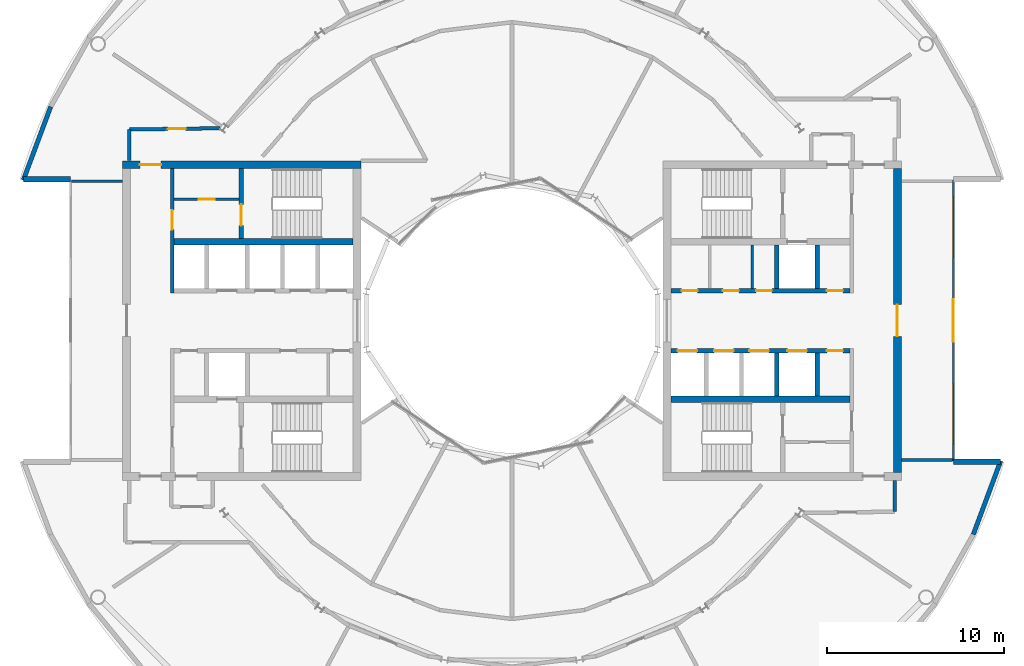
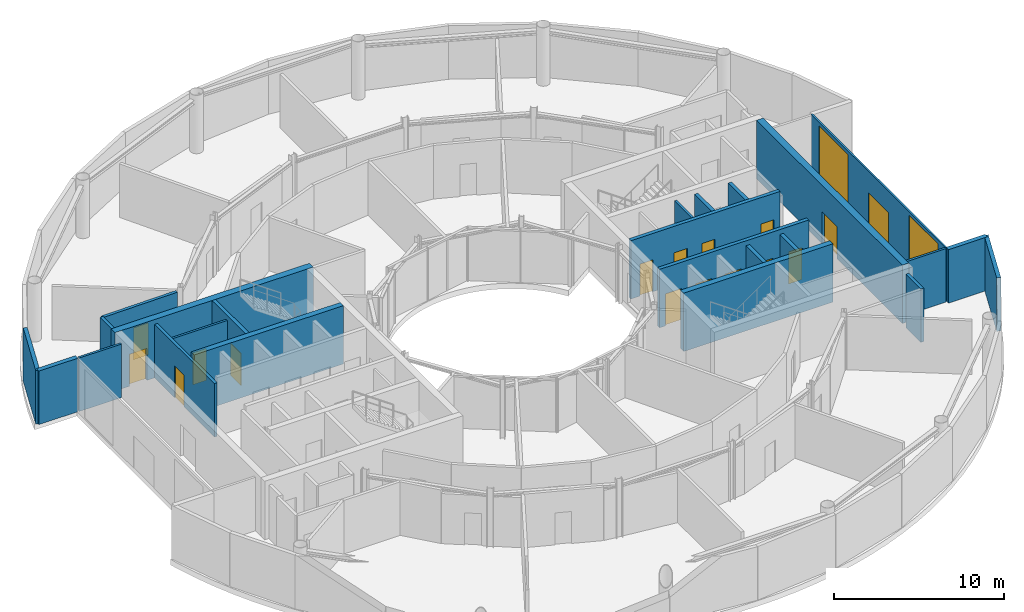
# One storey, part 14 of 19: 24 walls, 16 doors, 2 windows, 18 openings.
"""IFC4 building model written with IfcOpenShell, lengths in metres."""

from ifc_helpers import new_model, si_unit, direction, frame, frame_2d, origin, place, context, subcontext, project, spatial, rectangle, extrude, material, layer, layer_set, type_object, element, fill, save


model = new_model("IFC4")

# Units and contexts
model_context = context("Model", 3, precision=1e-05, world=origin(), true_north=direction((0.0, 1.0)))
body_context = subcontext(model_context, "Body", "Model", "MODEL_VIEW")
ifc_project = project(units=[si_unit("LENGTHUNIT", "METRE"), si_unit("AREAUNIT", "SQUARE_METRE"), si_unit("VOLUMEUNIT", "CUBIC_METRE"), si_unit("PLANEANGLEUNIT", "RADIAN"), si_unit("MASSUNIT", "GRAM", prefix="KILO")], contexts=[model_context])

# Site, building, storey
site_placement = place(None, origin())
site = spatial("IfcSite", under=ifc_project, at=site_placement, CompositionType="ELEMENT")
building_placement = place(site_placement, origin())
building = spatial("IfcBuilding", under=site, at=building_placement, Name="Maasbend Ring Residences", CompositionType="ELEMENT")
storey_placement = place(building_placement, frame((0.0, 0.0, 186.0)))
storey = spatial("IfcBuildingStorey", under=building, at=storey_placement, Name="L53", CompositionType="ELEMENT", Elevation=186.0)

# Wall
ifc_material_1 = material(Name="Concrete C30/37", Category="concrete")
ifc_layer_1 = layer(ifc_material_1, 0.199951171875)
ifc_layer_set_1 = layer_set([ifc_layer_1], Name="Concrete C30/37")
wall_type_1 = type_object("IfcWallType", Name="COMPARTMENT WALL 200 CONCRETE", PredefinedType="PARTITIONING", material=ifc_layer_set_1)
wall_1_placement = place(storey_placement, frame((21.675048828125, -10.824951171875, 0.0), z_axis=(0.0, 0.0, 1.0), x_axis=(0.0, 1.0, 0.0)))
element("IfcWall", 1, at=wall_1_placement, inside=storey, type_object=wall_type_1, Name="U-L53-w002", PredefinedType="PARTITIONING", context=body_context, shape_type="SweptSolid", body=[
    extrude(rectangle(XDim=1.7548828125, YDim=0.199951171875, at=frame_2d((0.87744140625, 0.0))), origin(), (0.0, 0.0, 1.0), 3.85009765625),
])

# Wall, opening, door
wall_2_placement = place(storey_placement, frame((-21.675048828125, 10.824951171875, 0.0), z_axis=(0.0, 0.0, 1.0), x_axis=(0.999909707888, 0.013437859594, 0.0)))
wall_2 = element("IfcWall", 2, at=wall_2_placement, inside=storey, type_object=wall_type_1, Name="U-L53-w051", PredefinedType="PARTITIONING", context=body_context, shape_type="SweptSolid", body=[
    extrude(rectangle(XDim=5.1416015625, YDim=0.199951171875, at=frame_2d((2.57080078125, 0.0))), origin(), (0.0, 0.0, 1.0), 3.85009765625),
])
opening_1_placement = place(wall_2_placement, frame((2.18310546875, 0.0, 0.0)))
opening_1 = element("IfcOpeningElement", 3, at=opening_1_placement, cuts=wall_2, Name="Opening D-5320", PredefinedType="OPENING", context=body_context, shape_type="SweptSolid", body=[
    extrude(rectangle(XDim=1.0, YDim=2.300048828125, at=frame_2d((0.5, 1.14990234375))), frame((0.0, 0.10986328125, 0.0), z_axis=(0.0, -1.0, 0.0), x_axis=(1.0, 0.0, 0.0)), (0.0, 0.0, 1.0), 0.219970703125),
])
ifc_material_2 = material(Name="Steel, fire-rated, painted", Category="steel")
door_type_1 = type_object("IfcDoorType", Name="PLANT DOOR 1000 X 2300 FIRE-RATED", OperationType="NOTDEFINED", PredefinedType="DOOR", material=ifc_material_2)
door_1_placement = place(opening_1_placement, origin())
door_1 = element("IfcDoor", 4, at=door_1_placement, inside=storey, type_object=door_type_1, Name="D-5320", OperationType="SINGLE_SWING_RIGHT", OverallHeight=2.300048828125, OverallWidth=1.0, PredefinedType="DOOR", context=body_context, shape_type="SweptSolid", body=[
    extrude(rectangle(XDim=1.0, YDim=2.300048828125, at=frame_2d((0.5, 1.14990234375))), frame((0.0, 0.02490234375, 0.0), z_axis=(0.0, -1.0, 0.0), x_axis=(1.0, 0.0, 0.0)), (0.0, 0.0, 1.0), 0.050048828125),
])
fill(opening_1, door_1)

# Wall
wall_3_placement = place(storey_placement, frame((-21.675048828125, 9.070068359375, 0.0), z_axis=(0.0, 0.0, 1.0), x_axis=(0.0, 1.0, 0.0)))
element("IfcWall", 5, at=wall_3_placement, inside=storey, type_object=wall_type_1, Name="U-L53-w076", PredefinedType="PARTITIONING", context=body_context, shape_type="SweptSolid", body=[
    extrude(rectangle(XDim=1.7548828125, YDim=0.199951171875, at=frame_2d((0.87744140625, 0.0))), origin(), (0.0, 0.0, 1.0), 3.85009765625),
])

# Wall, openings, doors
ifc_material_3 = material(Name="Concrete C50/60", Category="concrete")
ifc_layer_2 = layer(ifc_material_3, 0.25)
ifc_layer_set_2 = layer_set([ifc_layer_2], Name="Concrete C50/60")
wall_type_2 = type_object("IfcWallType", Name="CORE WALL 250 C50/60", PredefinedType="SHEAR", material=ifc_layer_set_2)
wall_4_placement = place(storey_placement, frame((9.0, 1.699951171875, 0.0), z_axis=(0.0, 0.0, 1.0), x_axis=(1.0, 0.0, 0.0)))
wall_4 = element("IfcWall", 6, at=wall_4_placement, inside=storey, type_object=wall_type_2, Name="L53 core E wall SPN", PredefinedType="SHEAR", context=body_context, shape_type="SweptSolid", body=[
    extrude(rectangle(XDim=10.14990234375, YDim=0.25, at=frame_2d((5.074951171875, 0.0))), origin(), (0.0, 0.0, 1.0), 4.199951171875),
])
opening_2_placement = place(wall_4_placement, frame((0.612548828125, 0.0, 0.0)))
opening_2 = element("IfcOpeningElement", 7, at=opening_2_placement, cuts=wall_4, Name="Opening D-E5306", PredefinedType="OPENING", context=body_context, shape_type="SweptSolid", body=[
    extrude(rectangle(XDim=0.89990234375, YDim=2.300048828125, at=frame_2d((0.449951171875, 1.14990234375))), frame((0.0, 0.135009765625, 0.0), z_axis=(0.0, -1.0, 0.0), x_axis=(1.0, 0.0, 0.0)), (0.0, 0.0, 1.0), 0.27001953125),
])
opening_3_placement = place(wall_4_placement, frame((2.949951171875, 0.0, 0.0)))
opening_3 = element("IfcOpeningElement", 8, at=opening_3_placement, cuts=wall_4, Name="Opening D-E5307", PredefinedType="OPENING", context=body_context, shape_type="SweptSolid", body=[
    extrude(rectangle(XDim=0.89990234375, YDim=2.300048828125, at=frame_2d((0.449951171875, 1.14990234375))), frame((0.0, 0.135009765625, 0.0), z_axis=(0.0, -1.0, 0.0), x_axis=(1.0, 0.0, 0.0)), (0.0, 0.0, 1.0), 0.27001953125),
])
opening_4_placement = place(wall_4_placement, frame((4.824951171875, 0.0, 0.0)))
opening_4 = element("IfcOpeningElement", 9, at=opening_4_placement, cuts=wall_4, Name="Opening D-E5308", PredefinedType="OPENING", context=body_context, shape_type="SweptSolid", body=[
    extrude(rectangle(XDim=0.89990234375, YDim=2.300048828125, at=frame_2d((0.449951171875, 1.14990234375))), frame((0.0, 0.135009765625, 0.0), z_axis=(0.0, -1.0, 0.0), x_axis=(1.0, 0.0, 0.0)), (0.0, 0.0, 1.0), 0.27001953125),
])
opening_5_placement = place(wall_4_placement, frame((8.83740234375, 0.0, 0.0)))
opening_5 = element("IfcOpeningElement", 10, at=opening_5_placement, cuts=wall_4, Name="Opening D-E5309", PredefinedType="OPENING", context=body_context, shape_type="SweptSolid", body=[
    extrude(rectangle(XDim=0.89990234375, YDim=2.300048828125, at=frame_2d((0.449951171875, 1.14990234375))), frame((0.0, 0.135009765625, 0.0), z_axis=(0.0, -1.0, 0.0), x_axis=(1.0, 0.0, 0.0)), (0.0, 0.0, 1.0), 0.27001953125),
])
ifc_material_4 = material(Name="Steel, powder coated", Category="steel")
door_type_2 = type_object("IfcDoorType", Name="ROOM DOOR 900 X 2300 FD30S", OperationType="NOTDEFINED", PredefinedType="DOOR", material=ifc_material_4)
door_2_placement = place(opening_2_placement, origin())
door_2 = element("IfcDoor", 11, at=door_2_placement, inside=storey, type_object=door_type_2, Name="Room door L53", OperationType="SINGLE_SWING_RIGHT", OverallHeight=2.300048828125, OverallWidth=0.89990234375, PredefinedType="DOOR", context=body_context, shape_type="SweptSolid", body=[
    extrude(rectangle(XDim=0.89990234375, YDim=2.300048828125, at=frame_2d((0.449951171875, 1.14990234375))), frame((0.0, 0.02490234375, 0.0), z_axis=(0.0, -1.0, 0.0), x_axis=(1.0, 0.0, 0.0)), (0.0, 0.0, 1.0), 0.050048828125),
])
fill(opening_2, door_2)
door_3_placement = place(opening_3_placement, origin())
door_3 = element("IfcDoor", 12, at=door_3_placement, inside=storey, type_object=door_type_2, Name="Room door L53", OperationType="SINGLE_SWING_RIGHT", OverallHeight=2.300048828125, OverallWidth=0.89990234375, PredefinedType="DOOR", context=body_context, shape_type="SweptSolid", body=[
    extrude(rectangle(XDim=0.89990234375, YDim=2.300048828125, at=frame_2d((0.449951171875, 1.14990234375))), frame((0.0, 0.02490234375, 0.0), z_axis=(0.0, -1.0, 0.0), x_axis=(1.0, 0.0, 0.0)), (0.0, 0.0, 1.0), 0.050048828125),
])
fill(opening_3, door_3)
door_4_placement = place(opening_4_placement, origin())
door_4 = element("IfcDoor", 13, at=door_4_placement, inside=storey, type_object=door_type_2, Name="Room door L53", OperationType="SINGLE_SWING_LEFT", OverallHeight=2.300048828125, OverallWidth=0.89990234375, PredefinedType="DOOR", context=body_context, shape_type="SweptSolid", body=[
    extrude(rectangle(XDim=0.89990234375, YDim=2.300048828125, at=frame_2d((0.449951171875, 1.14990234375))), frame((0.0, 0.02490234375, 0.0), z_axis=(0.0, -1.0, 0.0), x_axis=(1.0, 0.0, 0.0)), (0.0, 0.0, 1.0), 0.050048828125),
])
fill(opening_4, door_4)
door_5_placement = place(opening_5_placement, origin())
door_5 = element("IfcDoor", 14, at=door_5_placement, inside=storey, type_object=door_type_2, Name="Room door L53", OperationType="SINGLE_SWING_LEFT", OverallHeight=2.300048828125, OverallWidth=0.89990234375, PredefinedType="DOOR", context=body_context, shape_type="SweptSolid", body=[
    extrude(rectangle(XDim=0.89990234375, YDim=2.300048828125, at=frame_2d((0.449951171875, 1.14990234375))), frame((0.0, 0.02490234375, 0.0), z_axis=(0.0, -1.0, 0.0), x_axis=(1.0, 0.0, 0.0)), (0.0, 0.0, 1.0), 0.050048828125),
])
fill(opening_5, door_5)

wall_5_placement = place(storey_placement, frame((19.14990234375, -1.699951171875, 0.0), z_axis=(0.0, 0.0, 1.0), x_axis=(-1.0, 0.0, 0.0)))
wall_5 = element("IfcWall", 15, at=wall_5_placement, inside=storey, type_object=wall_type_2, Name="L53 core E wall SPS", PredefinedType="SHEAR", context=body_context, shape_type="SweptSolid", body=[
    extrude(rectangle(XDim=10.14990234375, YDim=0.25, at=frame_2d((5.074951171875, 0.0))), origin(), (0.0, 0.0, 1.0), 4.199951171875),
])
opening_6_placement = place(wall_5_placement, frame((8.66259765625, 0.0, 0.0)))
opening_6 = element("IfcOpeningElement", 16, at=opening_6_placement, cuts=wall_5, Name="Opening LD-E5302", PredefinedType="OPENING", context=body_context, shape_type="SweptSolid", body=[
    extrude(rectangle(XDim=1.10009765625, YDim=2.300048828125, at=frame_2d((0.550048828125, 1.14990234375))), frame((0.0, 0.135009765625, 0.0), z_axis=(0.0, -1.0, 0.0), x_axis=(1.0, 0.0, 0.0)), (0.0, 0.0, 1.0), 0.27001953125),
])
opening_7_placement = place(wall_5_placement, frame((6.60009765625, 0.0, 0.0)))
opening_7 = element("IfcOpeningElement", 17, at=opening_7_placement, cuts=wall_5, Name="Opening LD-E5303", PredefinedType="OPENING", context=body_context, shape_type="SweptSolid", body=[
    extrude(rectangle(XDim=1.10009765625, YDim=2.300048828125, at=frame_2d((0.550048828125, 1.14990234375))), frame((0.0, 0.135009765625, 0.0), z_axis=(0.0, -1.0, 0.0), x_axis=(1.0, 0.0, 0.0)), (0.0, 0.0, 1.0), 0.27001953125),
])
opening_8_placement = place(wall_5_placement, frame((4.60009765625, 0.0, 0.0)))
opening_8 = element("IfcOpeningElement", 18, at=opening_8_placement, cuts=wall_5, Name="Opening LD-E5304", PredefinedType="OPENING", context=body_context, shape_type="SweptSolid", body=[
    extrude(rectangle(XDim=1.10009765625, YDim=2.300048828125, at=frame_2d((0.550048828125, 1.14990234375))), frame((0.0, 0.135009765625, 0.0), z_axis=(0.0, -1.0, 0.0), x_axis=(1.0, 0.0, 0.0)), (0.0, 0.0, 1.0), 0.27001953125),
])
opening_9_placement = place(wall_5_placement, frame((2.449951171875, 0.0, 0.0)))
opening_9 = element("IfcOpeningElement", 19, at=opening_9_placement, cuts=wall_5, Name="Opening LD-E5305", PredefinedType="OPENING", context=body_context, shape_type="SweptSolid", body=[
    extrude(rectangle(XDim=1.10009765625, YDim=2.300048828125, at=frame_2d((0.550048828125, 1.14990234375))), frame((0.0, 0.135009765625, 0.0), z_axis=(0.0, -1.0, 0.0), x_axis=(1.0, 0.0, 0.0)), (0.0, 0.0, 1.0), 0.27001953125),
])
opening_10_placement = place(wall_5_placement, frame((0.41259765625, 0.0, 0.0)))
opening_10 = element("IfcOpeningElement", 20, at=opening_10_placement, cuts=wall_5, Name="Opening D-E5310", PredefinedType="OPENING", context=body_context, shape_type="SweptSolid", body=[
    extrude(rectangle(XDim=0.89990234375, YDim=2.300048828125, at=frame_2d((0.449951171875, 1.14990234375))), frame((0.0, 0.135009765625, 0.0), z_axis=(0.0, -1.0, 0.0), x_axis=(1.0, 0.0, 0.0)), (0.0, 0.0, 1.0), 0.27001953125),
])
ifc_material_5 = material(Name="Stainless steel 316", Category="steel")
door_type_3 = type_object("IfcDoorType", Name="LANDING DOOR 1100 X 2300 FD60", OperationType="DOUBLE_DOOR_SLIDING", PredefinedType="DOOR", material=ifc_material_5)
door_6_placement = place(opening_6_placement, origin())
door_6 = element("IfcDoor", 21, at=door_6_placement, inside=storey, type_object=door_type_3, Name="Landing door HR-E1 L53", OperationType="DOUBLE_DOOR_SLIDING", OverallHeight=2.300048828125, OverallWidth=1.10009765625, PredefinedType="DOOR", context=body_context, shape_type="SweptSolid", body=[
    extrude(rectangle(XDim=1.10009765625, YDim=2.300048828125, at=frame_2d((0.550048828125, 1.14990234375))), frame((0.0, 0.02490234375, 0.0), z_axis=(0.0, -1.0, 0.0), x_axis=(1.0, 0.0, 0.0)), (0.0, 0.0, 1.0), 0.050048828125),
])
fill(opening_6, door_6)
door_7_placement = place(opening_7_placement, origin())
door_7 = element("IfcDoor", 22, at=door_7_placement, inside=storey, type_object=door_type_3, Name="Landing door HR-E2 L53", OperationType="DOUBLE_DOOR_SLIDING", OverallHeight=2.300048828125, OverallWidth=1.10009765625, PredefinedType="DOOR", context=body_context, shape_type="SweptSolid", body=[
    extrude(rectangle(XDim=1.10009765625, YDim=2.300048828125, at=frame_2d((0.550048828125, 1.14990234375))), frame((0.0, 0.02490234375, 0.0), z_axis=(0.0, -1.0, 0.0), x_axis=(1.0, 0.0, 0.0)), (0.0, 0.0, 1.0), 0.050048828125),
])
fill(opening_7, door_7)
door_8_placement = place(opening_8_placement, origin())
door_8 = element("IfcDoor", 23, at=door_8_placement, inside=storey, type_object=door_type_3, Name="Landing door HR-E3 L53", OperationType="DOUBLE_DOOR_SLIDING", OverallHeight=2.300048828125, OverallWidth=1.10009765625, PredefinedType="DOOR", context=body_context, shape_type="SweptSolid", body=[
    extrude(rectangle(XDim=1.10009765625, YDim=2.300048828125, at=frame_2d((0.550048828125, 1.14990234375))), frame((0.0, 0.02490234375, 0.0), z_axis=(0.0, -1.0, 0.0), x_axis=(1.0, 0.0, 0.0)), (0.0, 0.0, 1.0), 0.050048828125),
])
fill(opening_8, door_8)
door_9_placement = place(opening_9_placement, origin())
door_9 = element("IfcDoor", 24, at=door_9_placement, inside=storey, type_object=door_type_3, Name="Landing door SV-E L53", OperationType="DOUBLE_DOOR_SLIDING", OverallHeight=2.300048828125, OverallWidth=1.10009765625, PredefinedType="DOOR", context=body_context, shape_type="SweptSolid", body=[
    extrude(rectangle(XDim=1.10009765625, YDim=2.300048828125, at=frame_2d((0.550048828125, 1.14990234375))), frame((0.0, 0.02490234375, 0.0), z_axis=(0.0, -1.0, 0.0), x_axis=(1.0, 0.0, 0.0)), (0.0, 0.0, 1.0), 0.050048828125),
])
fill(opening_9, door_9)
door_10_placement = place(opening_10_placement, origin())
door_10 = element("IfcDoor", 25, at=door_10_placement, inside=storey, type_object=door_type_2, Name="Room door L53", OperationType="SINGLE_SWING_RIGHT", OverallHeight=2.300048828125, OverallWidth=0.89990234375, PredefinedType="DOOR", context=body_context, shape_type="SweptSolid", body=[
    extrude(rectangle(XDim=0.89990234375, YDim=2.300048828125, at=frame_2d((0.449951171875, 1.14990234375))), frame((0.0, 0.02490234375, 0.0), z_axis=(0.0, -1.0, 0.0), x_axis=(1.0, 0.0, 0.0)), (0.0, 0.0, 1.0), 0.050048828125),
])
fill(opening_10, door_10)

# Wall, opening, door
wall_6_placement = place(storey_placement, frame((-15.324951171875, 8.60009765625, 0.0), z_axis=(0.0, 0.0, 1.0), x_axis=(0.0, -1.0, 0.0)))
wall_6 = element("IfcWall", 26, at=wall_6_placement, inside=storey, type_object=wall_type_2, Name="L53 core W wall STES", PredefinedType="SHEAR", context=body_context, shape_type="SweptSolid", body=[
    extrude(rectangle(XDim=3.9501953125, YDim=0.25, at=frame_2d((1.97509765625, 0.0))), origin(), (0.0, 0.0, 1.0), 4.199951171875),
])
opening_11_placement = place(wall_6_placement, frame((2.02490234375, 0.0, 0.0)))
opening_11 = element("IfcOpeningElement", 27, at=opening_11_placement, cuts=wall_6, Name="Opening D-W5311", PredefinedType="OPENING", context=body_context, shape_type="SweptSolid", body=[
    extrude(rectangle(XDim=1.199951171875, YDim=2.300048828125, at=frame_2d((0.60009765625, 1.14990234375))), frame((0.0, 0.135009765625, 0.0), z_axis=(0.0, -1.0, 0.0), x_axis=(1.0, 0.0, 0.0)), (0.0, 0.0, 1.0), 0.27001953125),
])
ifc_material_6 = material(Name="Steel, powder coated", Category="steel")
door_type_4 = type_object("IfcDoorType", Name="STAIR DOOR 1200 X 2300 FD60", OperationType="NOTDEFINED", PredefinedType="DOOR", material=ifc_material_6)
door_11_placement = place(opening_11_placement, origin())
door_11 = element("IfcDoor", 28, at=door_11_placement, inside=storey, type_object=door_type_4, Name="Stair door ST-W L53", OperationType="SINGLE_SWING_LEFT", OverallHeight=2.300048828125, OverallWidth=1.199951171875, PredefinedType="DOOR", context=body_context, shape_type="SweptSolid", body=[
    extrude(rectangle(XDim=1.199951171875, YDim=2.300048828125, at=frame_2d((0.60009765625, 1.14990234375))), frame((0.0, 0.02490234375, 0.0), z_axis=(0.0, -1.0, 0.0), x_axis=(1.0, 0.0, 0.0)), (0.0, 0.0, 1.0), 0.050048828125),
])
fill(opening_11, door_11)

# Walls
ifc_material_7 = material(Name="Concrete C50/60", Category="concrete")
ifc_layer_3 = layer(ifc_material_7, 0.375)
ifc_layer_set_3 = layer_set([ifc_layer_3], Name="Concrete C50/60")
wall_type_3 = type_object("IfcWallType", Name="CORE WALL 375 C50/60", PredefinedType="SHEAR", material=ifc_layer_set_3)
for number, where, z_axis, x_axis, name in (
    (29, (9.0, -4.46240234375, 0.0), (0.0, 0.0, 1.0), (1.0, 0.0, 0.0), "L53 core E wall BS"),
    (30, (-9.0, 4.46240234375, 0.0), (0.0, 0.0, 1.0), (-1.0, 0.0, 0.0), "L53 core W wall BS"),
):
    element("IfcWall", number, at=place(storey_placement, frame(where, z_axis=z_axis, x_axis=x_axis)), inside=storey, type_object=wall_type_3, Name=name, PredefinedType="SHEAR", context=body_context, shape_type="SweptSolid", body=[
        extrude(rectangle(XDim=10.14990234375, YDim=0.375, at=frame_2d((5.074951171875, 0.0))), origin(), (0.0, 0.0, 1.0), 4.199951171875),
    ])

# Wall, opening, door
ifc_material_8 = material(Name="Concrete C50/60", Category="concrete")
ifc_layer_4 = layer(ifc_material_8, 0.449951171875)
ifc_layer_set_4 = layer_set([ifc_layer_4], Name="Concrete C50/60")
wall_type_4 = type_object("IfcWallType", Name="CORE WALL 450 C50/60", PredefinedType="SHEAR", material=ifc_layer_set_4)
wall_7_placement = place(storey_placement, frame((21.824951171875, 8.60009765625, 0.0), z_axis=(0.0, 0.0, 1.0), x_axis=(0.0, -1.0, 0.0)))
wall_7 = element("IfcWall", 31, at=wall_7_placement, inside=storey, type_object=wall_type_4, Name="L53 core E wall POUT", PredefinedType="SHEAR", context=body_context, shape_type="SweptSolid", body=[
    extrude(rectangle(XDim=17.2001953125, YDim=0.449951171875, at=frame_2d((8.60009765625, 0.0))), origin(), (0.0, 0.0, 1.0), 4.199951171875),
])
opening_12_placement = place(wall_7_placement, frame((7.699951171875, 0.0, 0.0)))
opening_12 = element("IfcOpeningElement", 32, at=opening_12_placement, cuts=wall_7, Name="Opening D-E5319", PredefinedType="OPENING", context=body_context, shape_type="SweptSolid", body=[
    extrude(rectangle(XDim=1.800048828125, YDim=2.300048828125, at=frame_2d((0.89990234375, 1.14990234375))), frame((0.0, 0.23486328125, 0.0), z_axis=(0.0, -1.0, 0.0), x_axis=(1.0, 0.0, 0.0)), (0.0, 0.0, 1.0), 0.469970703125),
])
ifc_material_9 = material(Name="Aluminium frame, clear glass", Category="aluminium")
door_type_5 = type_object("IfcDoorType", Name="ENTRANCE DOOR 1800 X 2300 FD60", OperationType="NOTDEFINED", PredefinedType="DOOR", material=ifc_material_9)
door_12_placement = place(opening_12_placement, origin())
door_12 = element("IfcDoor", 33, at=door_12_placement, inside=storey, type_object=door_type_5, Name="Lobby glazed door L53", OperationType="SINGLE_SWING_LEFT", OverallHeight=2.300048828125, OverallWidth=1.800048828125, PredefinedType="DOOR", context=body_context, shape_type="SweptSolid", body=[
    extrude(rectangle(XDim=1.800048828125, YDim=2.300048828125, at=frame_2d((0.89990234375, 1.14990234375))), frame((0.0, 0.02490234375, 0.0), z_axis=(0.0, -1.0, 0.0), x_axis=(1.0, 0.0, 0.0)), (0.0, 0.0, 1.0), 0.050048828125),
])
fill(opening_12, door_12)

wall_8_placement = place(storey_placement, frame((-8.550048828125, 8.824951171875, 0.0), z_axis=(0.0, 0.0, 1.0), x_axis=(-1.0, 0.0, 0.0)))
wall_8 = element("IfcWall", 34, at=wall_8_placement, inside=storey, type_object=wall_type_4, Name="L53 core W wall PS", PredefinedType="SHEAR", context=body_context, shape_type="SweptSolid", body=[
    extrude(rectangle(XDim=13.5, YDim=0.449951171875, at=frame_2d((6.75, 0.0))), origin(), (0.0, 0.0, 1.0), 4.199951171875),
])
opening_13_placement = place(wall_8_placement, frame((11.324951171875, 0.0, 0.0)))
opening_13 = element("IfcOpeningElement", 35, at=opening_13_placement, cuts=wall_8, Name="Opening D-W5315", PredefinedType="OPENING", context=body_context, shape_type="SweptSolid", body=[
    extrude(rectangle(XDim=1.199951171875, YDim=2.300048828125, at=frame_2d((0.60009765625, 1.14990234375))), frame((0.0, 0.23486328125, 0.0), z_axis=(0.0, -1.0, 0.0), x_axis=(1.0, 0.0, 0.0)), (0.0, 0.0, 1.0), 0.469970703125),
])
ifc_material_10 = material(Name="Steel, powder coated", Category="steel")
door_type_6 = type_object("IfcDoorType", Name="CORRIDOR DOOR 1200 X 2300 FD30S", OperationType="NOTDEFINED", PredefinedType="DOOR", material=ifc_material_10)
door_13_placement = place(opening_13_placement, origin())
door_13 = element("IfcDoor", 36, at=door_13_placement, inside=storey, type_object=door_type_6, Name="Corridor door L53", OperationType="SINGLE_SWING_LEFT", OverallHeight=2.300048828125, OverallWidth=1.199951171875, PredefinedType="DOOR", context=body_context, shape_type="SweptSolid", body=[
    extrude(rectangle(XDim=1.199951171875, YDim=2.300048828125, at=frame_2d((0.60009765625, 1.14990234375))), frame((0.0, 0.02490234375, 0.0), z_axis=(0.0, -1.0, 0.0), x_axis=(1.0, 0.0, 0.0)), (0.0, 0.0, 1.0), 0.050048828125),
])
fill(opening_13, door_13)

# Walls
ifc_material_11 = material(Name="Louvred aluminium panel", Category="aluminium")
ifc_layer_5 = layer(ifc_material_11, 0.25)
ifc_layer_set_5 = layer_set([ifc_layer_5], Name="EW-LV")
wall_type_5 = type_object("IfcWallType", Name="EW-LV", PredefinedType="SOLIDWALL", material=ifc_layer_set_5)
for number, where, z_axis, x_axis, name in (
    (37, (26.126953125, -12.116943359375, 0.0), (0.0, 0.0, 1.0), (0.349247811493, 0.937030397675, 0.0), "Horn wall 2.2"),
    (38, (-26.126953125, 12.116943359375, 0.0), (0.0, 0.0, 1.0), (-0.349247811493, -0.937030397675, 0.0), "Horn wall 4.2"),
):
    element("IfcWall", number, at=place(storey_placement, frame(where, z_axis=z_axis, x_axis=x_axis)), inside=storey, type_object=wall_type_5, Name=name, PredefinedType="SOLIDWALL", context=body_context, shape_type="SweptSolid", body=[
        extrude(rectangle(XDim=4.4521484375, YDim=0.25, at=frame_2d((2.22607421875, 0.0))), origin(), (0.0, 0.0, 1.0), 3.85009765625),
    ])
ifc_material_12 = material(Name="Aluminium clad insulated panel", Category="aluminium")
ifc_layer_6 = layer(ifc_material_12, 0.300048828125)
ifc_layer_set_6 = layer_set([ifc_layer_6], Name="EW-RET")
wall_type_6 = type_object("IfcWallType", Name="EW-RET", PredefinedType="SOLIDWALL", material=ifc_layer_set_6)
for number, where, z_axis, x_axis, name in (
    (39, (25.0, -8.0, 0.0), (0.0, 0.0, 1.0), (1.0, 0.0, 0.0), "Notch return wall east south"),
    (40, (-25.0, 8.0, 0.0), (0.0, 0.0, 1.0), (-1.0, 0.0, 0.0), "Notch return wall west north"),
):
    element("IfcWall", number, at=place(storey_placement, frame(where, z_axis=z_axis, x_axis=x_axis)), inside=storey, type_object=wall_type_6, Name=name, PredefinedType="SOLIDWALL", context=body_context, shape_type="SweptSolid", body=[
        extrude(rectangle(XDim=2.6669921875, YDim=0.300048828125, at=frame_2d((1.33349609375, 0.0))), origin(), (0.0, 0.0, 1.0), 3.85009765625),
    ])

# Wall, openings, door, windows
ifc_material_13 = material(Name="Aluminium frame and clear glass", Category="aluminium")
ifc_layer_7 = layer(ifc_material_13, 0.1201171875)
ifc_layer_set_7 = layer_set([ifc_layer_7], Name="GLAZED SCREEN WALL 120 EI 60")
wall_type_7 = type_object("IfcWallType", Name="GLAZED SCREEN WALL 120 EI 60", PredefinedType="PARTITIONING", material=ifc_layer_set_7)
wall_9_placement = place(storey_placement, frame((25.0, 7.949951171875, 0.0), z_axis=(0.0, 0.0, 1.0), x_axis=(0.0, -1.0, 0.0)))
wall_9 = element("IfcWall", 41, at=wall_9_placement, inside=storey, type_object=wall_type_7, Name="L53 core E wall FACE", PredefinedType="PARTITIONING", context=body_context, shape_type="SweptSolid", body=[
    extrude(rectangle(XDim=15.89990234375, YDim=0.1201171875, at=frame_2d((7.949951171875, 0.0))), origin(), (0.0, 0.0, 1.0), 3.85009765625),
])
opening_14_placement = place(wall_9_placement, frame((6.75, 0.0, 0.0)))
opening_14 = element("IfcOpeningElement", 42, at=opening_14_placement, cuts=wall_9, Name="Opening D-E5320", PredefinedType="OPENING", context=body_context, shape_type="SweptSolid", body=[
    extrude(rectangle(XDim=2.39990234375, YDim=2.300048828125, at=frame_2d((1.199951171875, 1.14990234375))), frame((0.0, 0.070068359375, 0.0), z_axis=(0.0, -1.0, 0.0), x_axis=(1.0, 0.0, 0.0)), (0.0, 0.0, 1.0), 0.14013671875),
])
opening_15_placement = place(wall_9_placement, frame((11.550048828125, 0.0, 0.10009765625)))
opening_15 = element("IfcOpeningElement", 43, at=opening_15_placement, cuts=wall_9, Name="Opening W-E5302", PredefinedType="OPENING", context=body_context, shape_type="SweptSolid", body=[
    extrude(rectangle(XDim=3.39990234375, YDim=3.5, at=frame_2d((1.699951171875, 1.75))), frame((0.0, 0.070068359375, 0.0), z_axis=(0.0, -1.0, 0.0), x_axis=(1.0, 0.0, 0.0)), (0.0, 0.0, 1.0), 0.14013671875),
])
opening_16_placement = place(wall_9_placement, frame((0.949951171875, 0.0, 0.10009765625)))
opening_16 = element("IfcOpeningElement", 44, at=opening_16_placement, cuts=wall_9, Name="Opening W-E5303", PredefinedType="OPENING", context=body_context, shape_type="SweptSolid", body=[
    extrude(rectangle(XDim=3.39990234375, YDim=3.5, at=frame_2d((1.699951171875, 1.75))), frame((0.0, 0.070068359375, 0.0), z_axis=(0.0, -1.0, 0.0), x_axis=(1.0, 0.0, 0.0)), (0.0, 0.0, 1.0), 0.14013671875),
])
ifc_material_14 = material(Name="Aluminium frame, clear glass", Category="aluminium")
door_type_7 = type_object("IfcDoorType", Name="ENTRANCE DOOR 2400 X 2300 FD60", OperationType="NOTDEFINED", PredefinedType="DOOR", material=ifc_material_14)
door_14_placement = place(opening_14_placement, origin())
door_14 = element("IfcDoor", 45, at=door_14_placement, inside=storey, type_object=door_type_7, Name="Lobby glazed door L53", OperationType="SINGLE_SWING_LEFT", OverallHeight=2.300048828125, OverallWidth=2.39990234375, PredefinedType="DOOR", context=body_context, shape_type="SweptSolid", body=[
    extrude(rectangle(XDim=2.39990234375, YDim=2.300048828125, at=frame_2d((1.199951171875, 1.14990234375))), frame((0.0, 0.02490234375, 0.0), z_axis=(0.0, -1.0, 0.0), x_axis=(1.0, 0.0, 0.0)), (0.0, 0.0, 1.0), 0.050048828125),
])
fill(opening_14, door_14)
ifc_material_15 = material(Name="Aluminium frame and clear glass", Category="aluminium")
window_type = type_object("IfcWindowType", Name="FIXED WINDOW 3400 X 3500", PartitioningType="SINGLE_PANEL", PredefinedType="WINDOW", material=ifc_material_15)
window_1_placement = place(opening_15_placement, origin())
window_1 = element("IfcWindow", 46, at=window_1_placement, inside=storey, type_object=window_type, Name="Lobby window L53", OverallHeight=3.5, OverallWidth=3.39990234375, PartitioningType="SINGLE_PANEL", PredefinedType="WINDOW", context=body_context, shape_type="SweptSolid", body=[
    extrude(rectangle(XDim=3.39990234375, YDim=3.5, at=frame_2d((1.699951171875, 1.75))), frame((0.0, 0.030029296875, 0.0), z_axis=(0.0, -1.0, 0.0), x_axis=(1.0, 0.0, 0.0)), (0.0, 0.0, 1.0), 0.06005859375),
])
fill(opening_15, window_1)
window_2_placement = place(opening_16_placement, origin())
window_2 = element("IfcWindow", 47, at=window_2_placement, inside=storey, type_object=window_type, Name="Lobby window L53", OverallHeight=3.5, OverallWidth=3.39990234375, PartitioningType="SINGLE_PANEL", PredefinedType="WINDOW", context=body_context, shape_type="SweptSolid", body=[
    extrude(rectangle(XDim=3.39990234375, YDim=3.5, at=frame_2d((1.699951171875, 1.75))), frame((0.0, 0.030029296875, 0.0), z_axis=(0.0, -1.0, 0.0), x_axis=(1.0, 0.0, 0.0)), (0.0, 0.0, 1.0), 0.06005859375),
])
fill(opening_16, window_2)

# Walls
ifc_material_16 = material(Name="Gypsum board on steel studs", Category="steel")
ifc_layer_8 = layer(ifc_material_16, 0.14990234375)
ifc_layer_set_8 = layer_set([ifc_layer_8], Name="PARTITION 150 EI 60")
wall_type_8 = type_object("IfcWallType", Name="PARTITION 150 EI 60", PredefinedType="PARTITIONING", material=ifc_layer_set_8)
wall_10_placement = place(storey_placement, frame((13.60009765625, 1.824951171875, 0.0), z_axis=(0.0, 0.0, 1.0), x_axis=(0.0, 1.0, 0.0)))
element("IfcWall", 48, at=wall_10_placement, inside=storey, type_object=wall_type_8, Name="L53 core E wall PRN1360", PredefinedType="PARTITIONING", context=body_context, shape_type="SweptSolid", body=[
    extrude(rectangle(XDim=2.449951171875, YDim=0.14990234375, at=frame_2d((1.22509765625, 0.0))), origin(), (0.0, 0.0, 1.0), 3.85009765625),
])
wall_11_placement = place(storey_placement, frame((22.050048828125, -7.89990234375, 0.0), z_axis=(0.0, 0.0, 1.0), x_axis=(1.0, 0.0, 0.0)))
element("IfcWall", 49, at=wall_11_placement, inside=storey, type_object=wall_type_8, Name="L53 core E wall CITS", PredefinedType="PARTITIONING", context=body_context, shape_type="SweptSolid", body=[
    extrude(rectangle(XDim=2.889892578125, YDim=0.14990234375, at=frame_2d((1.44482421875, 0.0))), origin(), (0.0, 0.0, 1.0), 3.85009765625),
])

# Wall, opening, door
wall_12_placement = place(storey_placement, frame((-15.449951171875, 6.875, 0.0), z_axis=(0.0, 0.0, 1.0), x_axis=(-1.0, 0.0, 0.0)))
wall_12 = element("IfcWall", 50, at=wall_12_placement, inside=storey, type_object=wall_type_8, Name="L53 core W wall RHS", PredefinedType="PARTITIONING", context=body_context, shape_type="SweptSolid", body=[
    extrude(rectangle(XDim=3.699951171875, YDim=0.14990234375, at=frame_2d((1.85009765625, 0.0))), origin(), (0.0, 0.0, 1.0), 3.85009765625),
])
opening_17_placement = place(wall_12_placement, frame((1.39990234375, 0.0, 0.0)))
opening_17 = element("IfcOpeningElement", 51, at=opening_17_placement, cuts=wall_12, Name="Opening D-W5309", PredefinedType="OPENING", context=body_context, shape_type="SweptSolid", body=[
    extrude(rectangle(XDim=0.89990234375, YDim=2.300048828125, at=frame_2d((0.449951171875, 1.14990234375))), frame((0.0, 0.0849609375, 0.0), z_axis=(0.0, -1.0, 0.0), x_axis=(1.0, 0.0, 0.0)), (0.0, 0.0, 1.0), 0.169921875),
])
ifc_material_17 = material(Name="Steel, powder coated", Category="steel")
door_type_8 = type_object("IfcDoorType", Name="RISER DOOR 900 X 2300 FD60", OperationType="NOTDEFINED", PredefinedType="DOOR", material=ifc_material_17)
door_15_placement = place(opening_17_placement, origin())
door_15 = element("IfcDoor", 52, at=door_15_placement, inside=storey, type_object=door_type_8, Name="Riser door L53", OperationType="SINGLE_SWING_LEFT", OverallHeight=2.300048828125, OverallWidth=0.89990234375, PredefinedType="DOOR", context=body_context, shape_type="SweptSolid", body=[
    extrude(rectangle(XDim=0.89990234375, YDim=2.300048828125, at=frame_2d((0.449951171875, 1.14990234375))), frame((0.0, 0.02490234375, 0.0), z_axis=(0.0, -1.0, 0.0), x_axis=(1.0, 0.0, 0.0)), (0.0, 0.0, 1.0), 0.050048828125),
])
fill(opening_17, door_15)

# Wall
wall_13_placement = place(storey_placement, frame((-22.050048828125, 7.89990234375, 0.0), z_axis=(0.0, 0.0, 1.0), x_axis=(-1.0, 0.0, 0.0)))
element("IfcWall", 53, at=wall_13_placement, inside=storey, type_object=wall_type_8, Name="L53 core W wall CITS", PredefinedType="PARTITIONING", context=body_context, shape_type="SweptSolid", body=[
    extrude(rectangle(XDim=2.889892578125, YDim=0.14990234375, at=frame_2d((1.44482421875, 0.0))), origin(), (0.0, 0.0, 1.0), 3.85009765625),
])

# Wall, opening, door
ifc_material_18 = material(Name="Concrete C30/37", Category="concrete")
ifc_layer_9 = layer(ifc_material_18, 0.199951171875)
ifc_layer_set_9 = layer_set([ifc_layer_9], Name="Concrete C30/37")
wall_type_9 = type_object("IfcWallType", Name="SHAFT WALL 200 EI 120", PredefinedType="SOLIDWALL", material=ifc_layer_set_9)
wall_14_placement = place(storey_placement, frame((-19.25, 8.60009765625, 0.0), z_axis=(0.0, 0.0, 1.0), x_axis=(0.0, -1.0, 0.0)))
wall_14 = element("IfcWall", 54, at=wall_14_placement, inside=storey, type_object=wall_type_9, Name="L53 core W wall ENDS", PredefinedType="SOLIDWALL", context=body_context, shape_type="SweptSolid", body=[
    extrude(rectangle(XDim=7.025146484375, YDim=0.199951171875, at=frame_2d((3.5126953125, 0.0))), origin(), (0.0, 0.0, 1.0), 3.85009765625),
])
opening_18_placement = place(wall_14_placement, frame((2.35009765625, 0.0, 0.0)))
opening_18 = element("IfcOpeningElement", 55, at=opening_18_placement, cuts=wall_14, Name="Opening D-W5313", PredefinedType="OPENING", context=body_context, shape_type="SweptSolid", body=[
    extrude(rectangle(XDim=1.10009765625, YDim=2.300048828125, at=frame_2d((0.550048828125, 1.14990234375))), frame((0.0, 0.10986328125, 0.0), z_axis=(0.0, -1.0, 0.0), x_axis=(1.0, 0.0, 0.0)), (0.0, 0.0, 1.0), 0.219970703125),
])
ifc_material_19 = material(Name="Steel, powder coated", Category="steel")
door_type_9 = type_object("IfcDoorType", Name="LOBBY DOOR 1100 X 2300 FD60", OperationType="NOTDEFINED", PredefinedType="DOOR", material=ifc_material_19)
door_16_placement = place(opening_18_placement, origin())
door_16 = element("IfcDoor", 56, at=door_16_placement, inside=storey, type_object=door_type_9, Name="Lobby door L53", OperationType="SINGLE_SWING_RIGHT", OverallHeight=2.300048828125, OverallWidth=1.10009765625, PredefinedType="DOOR", context=body_context, shape_type="SweptSolid", body=[
    extrude(rectangle(XDim=1.10009765625, YDim=2.300048828125, at=frame_2d((0.550048828125, 1.14990234375))), frame((0.0, 0.02490234375, 0.0), z_axis=(0.0, -1.0, 0.0), x_axis=(1.0, 0.0, 0.0)), (0.0, 0.0, 1.0), 0.050048828125),
])
fill(opening_18, door_16)

# Walls
ifc_material_20 = material(Name="Concrete C30/37", Category="concrete")
ifc_layer_10 = layer(ifc_material_20, 0.25)
ifc_layer_set_10 = layer_set([ifc_layer_10], Name="Concrete C30/37")
wall_type_10 = type_object("IfcWallType", Name="SHAFT WALL 250 EI 120", PredefinedType="SOLIDWALL", material=ifc_layer_set_10)
for number, where, z_axis, x_axis, name in (
    (57, (15.0, 1.824951171875, 0.0), (0.0, 0.0, 1.0), (0.0, 1.0, 0.0), "L53 core E wall D150N"),
    (58, (17.300048828125, 1.824951171875, 0.0), (0.0, 0.0, 1.0), (0.0, 1.0, 0.0), "L53 core E wall D173N"),
    (59, (15.0, -1.824951171875, 0.0), (0.0, 0.0, 1.0), (0.0, -1.0, 0.0), "L53 core E wall D150S"),
    (60, (17.300048828125, -1.824951171875, 0.0), (0.0, 0.0, 1.0), (0.0, -1.0, 0.0), "L53 core E wall D173S"),
):
    element("IfcWall", number, at=place(storey_placement, frame(where, z_axis=z_axis, x_axis=x_axis)), inside=storey, type_object=wall_type_10, Name=name, PredefinedType="SOLIDWALL", context=body_context, shape_type="SweptSolid", body=[
        extrude(rectangle(XDim=2.449951171875, YDim=0.25, at=frame_2d((1.22509765625, 0.0))), origin(), (0.0, 0.0, 1.0), 3.85009765625),
    ])

save(model, "model.ifc")
